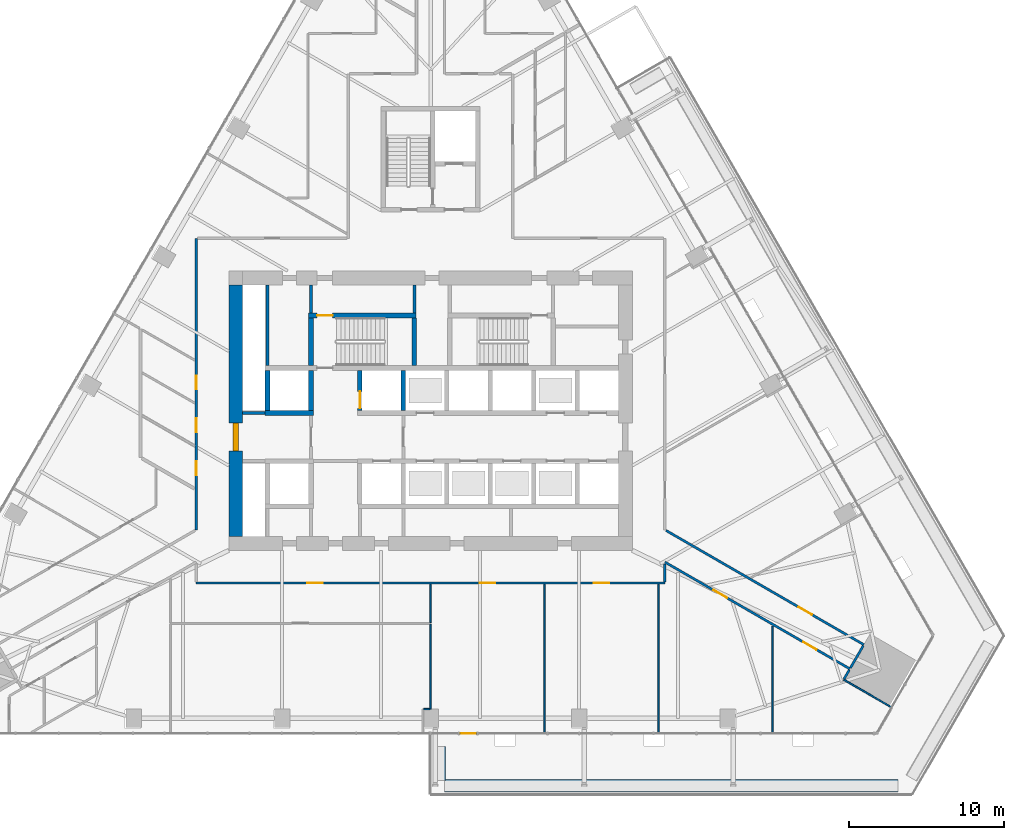
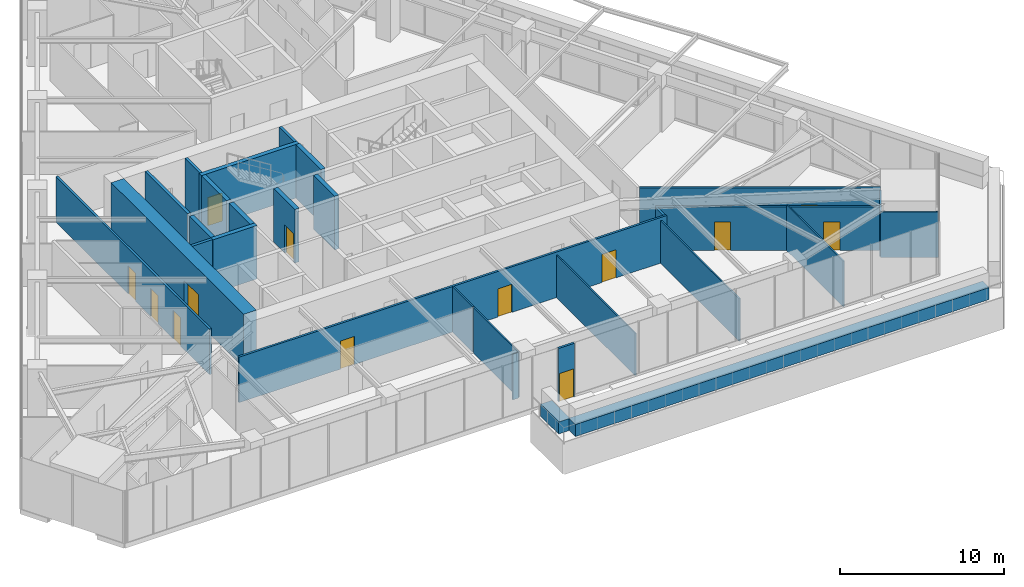
# One storey, part 22 of 29: 30 walls, 13 doors, 13 openings, 1 element without a shape of its own.
"""IFC4 building model written with IfcOpenShell, lengths in metres."""

from ifc_helpers import new_model, si_unit, direction, frame, frame_2d, origin, place, context, subcontext, project, spatial, rectangle, extrude, material, layer, layer_set, type_object, element, fill, aggregate, save


model = new_model("IFC4")

# Units and contexts
model_context = context("Model", 3, precision=1e-05, world=origin(), true_north=direction((0.0, 1.0)))
body_context = subcontext(model_context, "Body", "Model", "MODEL_VIEW")
ifc_project = project(units=[si_unit("LENGTHUNIT", "METRE"), si_unit("AREAUNIT", "SQUARE_METRE"), si_unit("VOLUMEUNIT", "CUBIC_METRE"), si_unit("PLANEANGLEUNIT", "RADIAN"), si_unit("MASSUNIT", "GRAM", prefix="KILO")], contexts=[model_context])

# Site, building, storey
site_placement = place(None, origin())
site = spatial("IfcSite", under=ifc_project, at=site_placement, CompositionType="ELEMENT")
building_placement = place(site_placement, origin())
building = spatial("IfcBuilding", under=site, at=building_placement, Name="Firuza Gate Tower and Library", CompositionType="ELEMENT")
storey_placement = place(building_placement, frame((0.0, 0.0, 48.39990234375)))
storey = spatial("IfcBuildingStorey", under=building, at=storey_placement, Name="L10", CompositionType="ELEMENT", Elevation=48.39990234375)

# Walls
ifc_material_1 = material(Name="Plasterboard on steel studs", Category="steel")
ifc_layer_1 = layer(ifc_material_1, 0.199951171875)
ifc_layer_set_1 = layer_set([ifc_layer_1], Name="Core partition 200 EI 120")
wall_type_1 = type_object("IfcWallType", Name="Core partition 200 EI 120", PredefinedType="PARTITIONING", material=ifc_layer_set_1)
wall_1_placement = place(storey_placement, frame((62.89990234375, 74.85009765625, 0.0), z_axis=(0.0, 0.0, 1.0), x_axis=(1.0, 0.0, 0.0)))
element("IfcWall", 1, at=wall_1_placement, inside=storey, type_object=wall_type_1, Name="Core partition L10 3", PredefinedType="PARTITIONING", context=body_context, shape_type="SweptSolid", body=[
    extrude(rectangle(XDim=1.4501953125, YDim=0.199951171875, at=frame_2d((0.72509765625, 0.0))), origin(), (0.0, 0.0, 1.0), 4.0),
])
wall_2_placement = place(storey_placement, frame((64.5, 77.89990234375, 0.0), z_axis=(0.0, 0.0, 1.0), x_axis=(0.0, 1.0, 0.0)))
element("IfcWall", 2, at=wall_2_placement, inside=storey, type_object=wall_type_1, Name="Core partition L10 6", PredefinedType="PARTITIONING", context=body_context, shape_type="SweptSolid", body=[
    extrude(rectangle(XDim=5.2001953125, YDim=0.199951171875, at=frame_2d((2.60009765625, 0.0))), origin(), (0.0, 0.0, 1.0), 4.0),
])
ifc_material_2 = material(Name="Plasterboard on steel studs", Category="steel")
ifc_layer_2 = layer(ifc_material_2, 0.199951171875)
ifc_layer_set_2 = layer_set([ifc_layer_2], Name="Core partition 200 EI 60")
wall_type_2 = type_object("IfcWallType", Name="Core partition 200 EI 60", PredefinedType="PARTITIONING", material=ifc_layer_set_2)
for number, where, z_axis, x_axis, name in (
    (3, (67.300048828125, 81.280029296875, 0.0), (0.0, 0.0, 1.0), (0.0, 1.0, 0.0), "Core partition L10 9"),
    (4, (73.9599609375, 81.280029296875, 0.0), (0.0, 0.0, 1.0), (0.0, 1.0, 0.0), "Core partition L10 13"),
):
    element("IfcWall", number, at=place(storey_placement, frame(where, z_axis=z_axis, x_axis=x_axis)), inside=storey, type_object=wall_type_2, Name=name, PredefinedType="PARTITIONING", context=body_context, shape_type="SweptSolid", body=[
        extrude(rectangle(XDim=1.820068359375, YDim=0.199951171875, at=frame_2d((0.91015625, 0.0))), origin(), (0.0, 0.0, 1.0), 4.0),
    ])
ifc_material_3 = material(Name="Concrete C80/95", Category="concrete")
ifc_layer_3 = layer(ifc_material_3, 0.300048828125)
ifc_layer_set_3 = layer_set([ifc_layer_3], Name="Core wall 300 C80/95")
wall_type_3 = type_object("IfcWallType", Name="Core wall 300 C80/95", PredefinedType="SHEAR", material=ifc_layer_set_3)
wall_3_placement = place(storey_placement, frame((64.35009765625, 74.85009765625, 0.0), z_axis=(0.0, 0.0, 1.0), x_axis=(1.0, 0.0, 0.0)))
element("IfcWall", 5, at=wall_3_placement, inside=storey, type_object=wall_type_3, Name="Core wall L10 9", PredefinedType="SHEAR", context=body_context, shape_type="SweptSolid", body=[
    extrude(rectangle(XDim=3.099853515625, YDim=0.300048828125, at=frame_2d((1.5498046875, 0.0))), origin(), (0.0, 0.0, 1.0), 4.0),
])
for number, where, z_axis, x_axis, name in (
    (6, (64.5, 75.0, 0.0), (0.0, 0.0, 1.0), (0.0, 1.0, 0.0), "Core wall L10 12"),
    (7, (67.300048828125, 75.0, 0.0), (0.0, 0.0, 1.0), (0.0, 1.0, 0.0), "Core wall L10 14"),
):
    element("IfcWall", number, at=place(storey_placement, frame(where, z_axis=z_axis, x_axis=x_axis)), inside=storey, type_object=wall_type_3, Name=name, PredefinedType="SHEAR", context=body_context, shape_type="SweptSolid", body=[
        extrude(rectangle(XDim=2.60009765625, YDim=0.300048828125, at=frame_2d((1.300048828125, 0.0))), origin(), (0.0, 0.0, 1.0), 4.0),
    ])

# Wall, opening, door
wall_4_placement = place(storey_placement, frame((70.449951171875, 75.0, 0.0), z_axis=(0.0, 0.0, 1.0), x_axis=(0.0, 1.0, 0.0)))
wall_4 = element("IfcWall", 8, at=wall_4_placement, inside=storey, type_object=wall_type_3, Name="Core wall L10 16", PredefinedType="SHEAR", context=body_context, shape_type="SweptSolid", body=[
    extrude(rectangle(XDim=2.60009765625, YDim=0.300048828125, at=frame_2d((1.300048828125, 0.0))), origin(), (0.0, 0.0, 1.0), 4.0),
])
opening_1_placement = place(wall_4_placement, frame((0.14990234375, 0.0, 0.0)))
opening_1 = element("IfcOpeningElement", 9, at=opening_1_placement, cuts=wall_4, Name="Opening LD-FF2-L10", PredefinedType="OPENING", context=body_context, shape_type="SweptSolid", body=[
    extrude(rectangle(XDim=1.10009765625, YDim=2.10009765625, at=frame_2d((0.550048828125, 1.050048828125))), frame((0.0, 0.16015625, 0.0), z_axis=(0.0, -1.0, 0.0), x_axis=(1.0, 0.0, 0.0)), (0.0, 0.0, 1.0), 0.320068359375),
])
ifc_material_4 = material(Name="Stainless steel", Category="steel")
door_type_1 = type_object("IfcDoorType", Name="Lift landing door 1100x2100", OperationType="DOUBLE_DOOR_SLIDING", PredefinedType="DOOR", material=ifc_material_4)
door_1_placement = place(opening_1_placement, origin())
door_1 = element("IfcDoor", 10, at=door_1_placement, inside=storey, type_object=door_type_1, Name="Landing door FF2 L10", OperationType="DOUBLE_DOOR_SLIDING", OverallHeight=2.10009765625, OverallWidth=1.10009765625, PredefinedType="DOOR", context=body_context, shape_type="SweptSolid", body=[
    extrude(rectangle(XDim=1.10009765625, YDim=2.10009765625, at=frame_2d((0.550048828125, 1.050048828125))), frame((0.0, 0.02490234375, 0.0), z_axis=(0.0, -1.0, 0.0), x_axis=(1.0, 0.0, 0.0)), (0.0, 0.0, 1.0), 0.050048828125),
])
fill(opening_1, door_1)

# Wall
wall_5_placement = place(storey_placement, frame((73.25, 75.0, 0.0), z_axis=(0.0, 0.0, 1.0), x_axis=(0.0, 1.0, 0.0)))
element("IfcWall", 11, at=wall_5_placement, inside=storey, type_object=wall_type_3, Name="Core wall L10 18", PredefinedType="SHEAR", context=body_context, shape_type="SweptSolid", body=[
    extrude(rectangle(XDim=2.60009765625, YDim=0.300048828125, at=frame_2d((1.300048828125, 0.0))), origin(), (0.0, 0.0, 1.0), 4.0),
])

# Wall, opening, door
wall_6_placement = place(storey_placement, frame((67.14990234375, 81.1298828125, 0.0), z_axis=(0.0, 0.0, 1.0), x_axis=(1.0, 0.0, 0.0)))
wall_6 = element("IfcWall", 12, at=wall_6_placement, inside=storey, type_object=wall_type_3, Name="Core wall L10 28", PredefinedType="SHEAR", context=body_context, shape_type="SweptSolid", body=[
    extrude(rectangle(XDim=6.91015625, YDim=0.300048828125, at=frame_2d((3.455078125, 0.0))), origin(), (0.0, 0.0, 1.0), 4.0),
])
opening_2_placement = place(wall_6_placement, frame((0.544921875, 0.0, 0.0)))
opening_2 = element("IfcOpeningElement", 13, at=opening_2_placement, cuts=wall_6, Name="Opening L10-K13", PredefinedType="OPENING", context=body_context, shape_type="SweptSolid", body=[
    extrude(rectangle(XDim=1.0, YDim=2.10009765625, at=frame_2d((0.5, 1.050048828125))), frame((0.0, 0.16015625, 0.0), z_axis=(0.0, -1.0, 0.0), x_axis=(1.0, 0.0, 0.0)), (0.0, 0.0, 1.0), 0.320068359375),
])
ifc_material_5 = material(Name="Steel", Category="steel")
door_type_2 = type_object("IfcDoorType", Name="Fire door 1000x2100 FD90", OperationType="NOTDEFINED", PredefinedType="DOOR", material=ifc_material_5)
door_2_placement = place(opening_2_placement, origin())
door_2 = element("IfcDoor", 14, at=door_2_placement, inside=storey, type_object=door_type_2, Name="Door L10-K13", OperationType="SINGLE_SWING_RIGHT", OverallHeight=2.10009765625, OverallWidth=1.0, PredefinedType="DOOR", context=body_context, shape_type="SweptSolid", body=[
    extrude(rectangle(XDim=1.0, YDim=2.10009765625, at=frame_2d((0.5, 1.050048828125))), frame((0.0, 0.02490234375, 0.0), z_axis=(0.0, -1.0, 0.0), x_axis=(1.0, 0.0, 0.0)), (0.0, 0.0, 1.0), 0.050048828125),
])
fill(opening_2, door_2)

# Walls
for number, where, z_axis, x_axis, name in (
    (15, (67.300048828125, 77.89990234375, 0.0), (0.0, 0.0, 1.0), (0.0, 1.0, 0.0), "Core wall L10 30"),
    (16, (73.9599609375, 77.89990234375, 0.0), (0.0, 0.0, 1.0), (0.0, 1.0, 0.0), "Core wall L10 31"),
):
    element("IfcWall", number, at=place(storey_placement, frame(where, z_axis=z_axis, x_axis=x_axis)), inside=storey, type_object=wall_type_3, Name=name, PredefinedType="SHEAR", context=body_context, shape_type="SweptSolid", body=[
        extrude(rectangle(XDim=3.080078125, YDim=0.300048828125, at=frame_2d((1.5400390625, 0.0))), origin(), (0.0, 0.0, 1.0), 4.0),
    ])

# Wall, opening, door
ifc_material_6 = material(Name="Concrete C80/95", Category="concrete")
ifc_layer_4 = layer(ifc_material_6, 0.89990234375)
ifc_layer_set_4 = layer_set([ifc_layer_4], Name="Core wall 900 C80/95")
wall_type_4 = type_object("IfcWallType", Name="Core wall 900 C80/95", PredefinedType="SHEAR", material=ifc_layer_set_4)
wall_7_placement = place(storey_placement, frame((62.449951171875, 66.89990234375, 0.0), z_axis=(0.0, 0.0, 1.0), x_axis=(0.0, 1.0, 0.0)))
wall_7 = element("IfcWall", 17, at=wall_7_placement, inside=storey, type_object=wall_type_4, Name="Core wall L10 3", PredefinedType="SHEAR", context=body_context, shape_type="SweptSolid", body=[
    extrude(rectangle(XDim=16.2001953125, YDim=0.89990234375, at=frame_2d((8.10009765625, 0.0))), origin(), (0.0, 0.0, 1.0), 4.0),
])
opening_3_placement = place(wall_7_placement, frame((5.5, 0.0, 0.0)))
opening_3 = element("IfcOpeningElement", 18, at=opening_3_placement, cuts=wall_7, Name="Opening L10-K22", PredefinedType="OPENING", context=body_context, shape_type="SweptSolid", body=[
    extrude(rectangle(XDim=1.800048828125, YDim=2.10009765625, at=frame_2d((0.89990234375, 1.050048828125))), frame((0.0, 0.4599609375, 0.0), z_axis=(0.0, -1.0, 0.0), x_axis=(1.0, 0.0, 0.0)), (0.0, 0.0, 1.0), 0.919921875),
])
ifc_material_7 = material(Name="Steel", Category="steel")
door_type_3 = type_object("IfcDoorType", Name="Fire door 1800x2100 FD30S", OperationType="NOTDEFINED", PredefinedType="DOOR", material=ifc_material_7)
door_3_placement = place(opening_3_placement, origin())
door_3 = element("IfcDoor", 19, at=door_3_placement, inside=storey, type_object=door_type_3, Name="Door L10-K22", OperationType="SINGLE_SWING_LEFT", OverallHeight=2.10009765625, OverallWidth=1.800048828125, PredefinedType="DOOR", context=body_context, shape_type="SweptSolid", body=[
    extrude(rectangle(XDim=1.800048828125, YDim=2.10009765625, at=frame_2d((0.89990234375, 1.050048828125))), frame((0.0, 0.169921875, 0.0), z_axis=(0.0, -1.0, 0.0), x_axis=(1.0, 0.0, 0.0)), (0.0, 0.0, 1.0), 0.33984375),
])
fill(opening_3, door_3)

# Wall, openings, doors
ifc_material_8 = material(Name="Gypsum board partition")
ifc_layer_5 = layer(ifc_material_8, 0.14990234375)
ifc_layer_set_5 = layer_set([ifc_layer_5], Name="Corridor wall 150 double board on steel studs")
wall_type_5 = type_object("IfcWallType", Name="Corridor wall 150 double board on steel studs", PredefinedType="PARTITIONING", material=ifc_layer_set_5)
wall_8_placement = place(storey_placement, frame((90.099609375, 63.89990234375, 0.0), z_axis=(0.0, 0.0, 1.0), x_axis=(-1.0, 0.0, 0.0)))
wall_8 = element("IfcWall", 20, at=wall_8_placement, inside=storey, type_object=wall_type_5, Name="f:L10:w002", PredefinedType="PARTITIONING", context=body_context, shape_type="SweptSolid", body=[
    extrude(rectangle(XDim=30.19970703125, YDim=0.14990234375, at=frame_2d((15.099853515625, 0.0))), origin(), (0.0, 0.0, 1.0), 3.400146484375),
])
opening_4_placement = place(wall_8_placement, frame((3.57763671875, 0.0, 0.0)))
opening_4 = element("IfcOpeningElement", 21, at=opening_4_placement, cuts=wall_8, Name="Opening L10-02", PredefinedType="OPENING", context=body_context, shape_type="SweptSolid", body=[
    extrude(rectangle(XDim=1.0, YDim=2.10009765625, at=frame_2d((0.5, 1.050048828125))), frame((0.0, 0.0849609375, 0.0), z_axis=(0.0, -1.0, 0.0), x_axis=(1.0, 0.0, 0.0)), (0.0, 0.0, 1.0), 0.169921875),
])
opening_5_placement = place(wall_8_placement, frame((10.925537109375, 0.0, 0.0)))
opening_5 = element("IfcOpeningElement", 22, at=opening_5_placement, cuts=wall_8, Name="Opening L10-03", PredefinedType="OPENING", context=body_context, shape_type="SweptSolid", body=[
    extrude(rectangle(XDim=1.0, YDim=2.10009765625, at=frame_2d((0.5, 1.050048828125))), frame((0.0, 0.0849609375, 0.0), z_axis=(0.0, -1.0, 0.0), x_axis=(1.0, 0.0, 0.0)), (0.0, 0.0, 1.0), 0.169921875),
])
opening_6_placement = place(wall_8_placement, frame((22.048095703125, 0.0, 0.0)))
opening_6 = element("IfcOpeningElement", 23, at=opening_6_placement, cuts=wall_8, Name="Opening L10-04", PredefinedType="OPENING", context=body_context, shape_type="SweptSolid", body=[
    extrude(rectangle(XDim=1.0, YDim=2.10009765625, at=frame_2d((0.5, 1.050048828125))), frame((0.0, 0.0849609375, 0.0), z_axis=(0.0, -1.0, 0.0), x_axis=(1.0, 0.0, 0.0)), (0.0, 0.0, 1.0), 0.169921875),
])
ifc_material_9 = material(Name="Steel door and timber leaf", Category="steel")
door_type_4 = type_object("IfcDoorType", Name="Fire door 1000 x 2100 steel frame, timber leaf", OperationType="NOTDEFINED", PredefinedType="DOOR", material=ifc_material_9)
door_4_placement = place(opening_4_placement, origin())
door_4 = element("IfcDoor", 24, at=door_4_placement, inside=storey, type_object=door_type_4, Name="f:L10:d002", OperationType="SINGLE_SWING_RIGHT", OverallHeight=2.10009765625, OverallWidth=1.0, PredefinedType="DOOR", context=body_context, shape_type="SweptSolid", body=[
    extrude(rectangle(XDim=1.0, YDim=2.10009765625, at=frame_2d((0.5, 1.050048828125))), frame((0.0, 0.02490234375, 0.0), z_axis=(0.0, -1.0, 0.0), x_axis=(1.0, 0.0, 0.0)), (0.0, 0.0, 1.0), 0.050048828125),
])
fill(opening_4, door_4)
door_5_placement = place(opening_5_placement, origin())
door_5 = element("IfcDoor", 25, at=door_5_placement, inside=storey, type_object=door_type_4, Name="f:L10:d003", OperationType="SINGLE_SWING_LEFT", OverallHeight=2.10009765625, OverallWidth=1.0, PredefinedType="DOOR", context=body_context, shape_type="SweptSolid", body=[
    extrude(rectangle(XDim=1.0, YDim=2.10009765625, at=frame_2d((0.5, 1.050048828125))), frame((0.0, 0.02490234375, 0.0), z_axis=(0.0, -1.0, 0.0), x_axis=(1.0, 0.0, 0.0)), (0.0, 0.0, 1.0), 0.050048828125),
])
fill(opening_5, door_5)
door_6_placement = place(opening_6_placement, origin())
door_6 = element("IfcDoor", 26, at=door_6_placement, inside=storey, type_object=door_type_4, Name="f:L10:d004", OperationType="SINGLE_SWING_RIGHT", OverallHeight=2.10009765625, OverallWidth=1.0, PredefinedType="DOOR", context=body_context, shape_type="SweptSolid", body=[
    extrude(rectangle(XDim=1.0, YDim=2.10009765625, at=frame_2d((0.5, 1.050048828125))), frame((0.0, 0.02490234375, 0.0), z_axis=(0.0, -1.0, 0.0), x_axis=(1.0, 0.0, 0.0)), (0.0, 0.0, 1.0), 0.050048828125),
])
fill(opening_6, door_6)

# Walls
wall_9_placement = place(storey_placement, frame((101.645751953125, 57.71142578125, 0.0), z_axis=(0.0, 0.0, 1.0), x_axis=(0.499837337514, 0.866119296648, 0.0)))
element("IfcWall", 27, at=wall_9_placement, inside=storey, type_object=wall_type_5, Name="f:L10:w027", PredefinedType="PARTITIONING", context=body_context, shape_type="SweptSolid", body=[
    extrude(rectangle(XDim=0.674560546875, YDim=0.14990234375, at=frame_2d((0.33740234375, 0.0))), origin(), (0.0, 0.0, 1.0), 3.400146484375),
])
wall_10_placement = place(storey_placement, frame((90.10009765625, 63.9755859375, 0.0), z_axis=(0.0, 0.0, 1.0), x_axis=(0.0, 1.0, 0.0)))
element("IfcWall", 28, at=wall_10_placement, inside=storey, type_object=wall_type_5, Name="f:L10:w029", PredefinedType="PARTITIONING", context=body_context, shape_type="SweptSolid", body=[
    extrude(rectangle(XDim=1.130615234375, YDim=0.14990234375, at=frame_2d((0.5654296875, 0.0))), origin(), (0.0, 0.0, 1.0), 3.2470703125),
])

# Wall, openings, doors
wall_11_placement = place(storey_placement, frame((59.89990234375, 67.3212890625, 0.0), z_axis=(0.0, 0.0, 1.0), x_axis=(0.0, 1.0, 0.0)))
wall_11 = element("IfcWall", 29, at=wall_11_placement, inside=storey, type_object=wall_type_5, Name="f:L10:w047", PredefinedType="PARTITIONING", context=body_context, shape_type="SweptSolid", body=[
    extrude(rectangle(XDim=18.7783203125, YDim=0.14990234375, at=frame_2d((9.38916015625, 0.0))), origin(), (0.0, 0.0, 1.0), 3.400146484375),
])
opening_7_placement = place(wall_11_placement, frame((3.518798828125, 0.0, 0.0)))
opening_7 = element("IfcOpeningElement", 30, at=opening_7_placement, cuts=wall_11, Name="Opening L10-27", PredefinedType="OPENING", context=body_context, shape_type="SweptSolid", body=[
    extrude(rectangle(XDim=0.89990234375, YDim=2.10009765625, at=frame_2d((0.449951171875, 1.050048828125))), frame((0.0, 0.0849609375, 0.0), z_axis=(0.0, -1.0, 0.0), x_axis=(1.0, 0.0, 0.0)), (0.0, 0.0, 1.0), 0.169921875),
])
opening_8_placement = place(wall_11_placement, frame((6.280517578125, 0.0, 0.0)))
opening_8 = element("IfcOpeningElement", 31, at=opening_8_placement, cuts=wall_11, Name="Opening L10-28", PredefinedType="OPENING", context=body_context, shape_type="SweptSolid", body=[
    extrude(rectangle(XDim=0.89990234375, YDim=2.10009765625, at=frame_2d((0.449951171875, 1.050048828125))), frame((0.0, 0.0849609375, 0.0), z_axis=(0.0, -1.0, 0.0), x_axis=(1.0, 0.0, 0.0)), (0.0, 0.0, 1.0), 0.169921875),
])
opening_9_placement = place(wall_11_placement, frame((9.04248046875, 0.0, 0.0)))
opening_9 = element("IfcOpeningElement", 32, at=opening_9_placement, cuts=wall_11, Name="Opening L10-29", PredefinedType="OPENING", context=body_context, shape_type="SweptSolid", body=[
    extrude(rectangle(XDim=0.89990234375, YDim=2.10009765625, at=frame_2d((0.449951171875, 1.050048828125))), frame((0.0, 0.0849609375, 0.0), z_axis=(0.0, -1.0, 0.0), x_axis=(1.0, 0.0, 0.0)), (0.0, 0.0, 1.0), 0.169921875),
])
ifc_material_10 = material(Name="Steel door and timber leaf", Category="steel")
door_type_5 = type_object("IfcDoorType", Name="Fire door 900 x 2100 steel frame, timber leaf", OperationType="NOTDEFINED", PredefinedType="DOOR", material=ifc_material_10)
door_7_placement = place(opening_7_placement, origin())
door_7 = element("IfcDoor", 33, at=door_7_placement, inside=storey, type_object=door_type_5, Name="f:L10:d027", OperationType="SINGLE_SWING_LEFT", OverallHeight=2.10009765625, OverallWidth=0.89990234375, PredefinedType="DOOR", context=body_context, shape_type="SweptSolid", body=[
    extrude(rectangle(XDim=0.89990234375, YDim=2.10009765625, at=frame_2d((0.449951171875, 1.050048828125))), frame((0.0, 0.02490234375, 0.0), z_axis=(0.0, -1.0, 0.0), x_axis=(1.0, 0.0, 0.0)), (0.0, 0.0, 1.0), 0.050048828125),
])
fill(opening_7, door_7)
door_8_placement = place(opening_8_placement, origin())
door_8 = element("IfcDoor", 34, at=door_8_placement, inside=storey, type_object=door_type_5, Name="f:L10:d028", OperationType="SINGLE_SWING_RIGHT", OverallHeight=2.10009765625, OverallWidth=0.89990234375, PredefinedType="DOOR", context=body_context, shape_type="SweptSolid", body=[
    extrude(rectangle(XDim=0.89990234375, YDim=2.10009765625, at=frame_2d((0.449951171875, 1.050048828125))), frame((0.0, 0.02490234375, 0.0), z_axis=(0.0, -1.0, 0.0), x_axis=(1.0, 0.0, 0.0)), (0.0, 0.0, 1.0), 0.050048828125),
])
fill(opening_8, door_8)
door_9_placement = place(opening_9_placement, origin())
door_9 = element("IfcDoor", 35, at=door_9_placement, inside=storey, type_object=door_type_5, Name="f:L10:d029", OperationType="SINGLE_SWING_LEFT", OverallHeight=2.10009765625, OverallWidth=0.89990234375, PredefinedType="DOOR", context=body_context, shape_type="SweptSolid", body=[
    extrude(rectangle(XDim=0.89990234375, YDim=2.10009765625, at=frame_2d((0.449951171875, 1.050048828125))), frame((0.0, 0.02490234375, 0.0), z_axis=(0.0, -1.0, 0.0), x_axis=(1.0, 0.0, 0.0)), (0.0, 0.0, 1.0), 0.050048828125),
])
fill(opening_9, door_9)

# Wall, opening, door
wall_12_placement = place(storey_placement, frame((90.175048828125, 67.278076171875, 0.0), z_axis=(0.0, 0.0, 1.0), x_axis=(0.866025356753, -0.50000008146, 0.0)))
wall_12 = element("IfcWall", 36, at=wall_12_placement, inside=storey, type_object=wall_type_5, Name="f:L10:w060", PredefinedType="PARTITIONING", context=body_context, shape_type="SweptSolid", body=[
    extrude(rectangle(XDim=14.716796875, YDim=0.14990234375, at=frame_2d((7.3583984375, 0.0))), origin(), (0.0, 0.0, 1.0), 3.400146484375),
])
opening_10_placement = place(wall_12_placement, frame((9.861328125, 0.0, 0.0)))
opening_10 = element("IfcOpeningElement", 37, at=opening_10_placement, cuts=wall_12, Name="Opening L10-31", PredefinedType="OPENING", context=body_context, shape_type="SweptSolid", body=[
    extrude(rectangle(XDim=1.0, YDim=2.10009765625, at=frame_2d((0.5, 1.050048828125))), frame((0.0, 0.0849609375, 0.0), z_axis=(0.0, -1.0, 0.0), x_axis=(1.0, 0.0, 0.0)), (0.0, 0.0, 1.0), 0.169921875),
])
door_10_placement = place(opening_10_placement, origin())
door_10 = element("IfcDoor", 38, at=door_10_placement, inside=storey, type_object=door_type_4, Name="f:L10:d031", OperationType="SINGLE_SWING_LEFT", OverallHeight=2.10009765625, OverallWidth=1.0, PredefinedType="DOOR", context=body_context, shape_type="SweptSolid", body=[
    extrude(rectangle(XDim=1.0, YDim=2.10009765625, at=frame_2d((0.5, 1.050048828125))), frame((0.0, 0.02490234375, 0.0), z_axis=(0.0, -1.0, 0.0), x_axis=(1.0, 0.0, 0.0)), (0.0, 0.0, 1.0), 0.050048828125),
])
fill(opening_10, door_10)

# Wall, openings, doors
wall_13_placement = place(storey_placement, frame((102.020751953125, 58.360595703125, 0.0), z_axis=(0.0, 0.0, 1.0), x_axis=(-0.866027566471, 0.499996254098, 0.0)))
wall_13 = element("IfcWall", 39, at=wall_13_placement, inside=storey, type_object=wall_type_5, Name="f:L10:w061", PredefinedType="PARTITIONING", context=body_context, shape_type="SweptSolid", body=[
    extrude(rectangle(XDim=13.7646484375, YDim=0.14990234375, at=frame_2d((6.88232421875, 0.0))), origin(), (0.0, 0.0, 1.0), 3.2470703125),
])
opening_11_placement = place(wall_13_placement, frame((2.474853515625, 0.0, 0.0)))
opening_11 = element("IfcOpeningElement", 40, at=opening_11_placement, cuts=wall_13, Name="Opening L10-32", PredefinedType="OPENING", context=body_context, shape_type="SweptSolid", body=[
    extrude(rectangle(XDim=1.0, YDim=2.10009765625, at=frame_2d((0.5, 1.050048828125))), frame((0.0, 0.0849609375, 0.0), z_axis=(0.0, -1.0, 0.0), x_axis=(1.0, 0.0, 0.0)), (0.0, 0.0, 1.0), 0.169921875),
])
opening_12_placement = place(wall_13_placement, frame((9.15380859375, 0.0, 0.0)))
opening_12 = element("IfcOpeningElement", 41, at=opening_12_placement, cuts=wall_13, Name="Opening L10-33", PredefinedType="OPENING", context=body_context, shape_type="SweptSolid", body=[
    extrude(rectangle(XDim=1.0, YDim=2.10009765625, at=frame_2d((0.5, 1.050048828125))), frame((0.0, 0.0849609375, 0.0), z_axis=(0.0, -1.0, 0.0), x_axis=(1.0, 0.0, 0.0)), (0.0, 0.0, 1.0), 0.169921875),
])
door_11_placement = place(opening_11_placement, origin())
door_11 = element("IfcDoor", 42, at=door_11_placement, inside=storey, type_object=door_type_4, Name="f:L10:d032", OperationType="SINGLE_SWING_LEFT", OverallHeight=2.10009765625, OverallWidth=1.0, PredefinedType="DOOR", context=body_context, shape_type="SweptSolid", body=[
    extrude(rectangle(XDim=1.0, YDim=2.10009765625, at=frame_2d((0.5, 1.050048828125))), frame((0.0, 0.02490234375, 0.0), z_axis=(0.0, -1.0, 0.0), x_axis=(1.0, 0.0, 0.0)), (0.0, 0.0, 1.0), 0.050048828125),
])
fill(opening_11, door_11)
door_12_placement = place(opening_12_placement, origin())
door_12 = element("IfcDoor", 43, at=door_12_placement, inside=storey, type_object=door_type_4, Name="f:L10:d033", OperationType="SINGLE_SWING_RIGHT", OverallHeight=2.10009765625, OverallWidth=1.0, PredefinedType="DOOR", context=body_context, shape_type="SweptSolid", body=[
    extrude(rectangle(XDim=1.0, YDim=2.10009765625, at=frame_2d((0.5, 1.050048828125))), frame((0.0, 0.02490234375, 0.0), z_axis=(0.0, -1.0, 0.0), x_axis=(1.0, 0.0, 0.0)), (0.0, 0.0, 1.0), 0.050048828125),
])
fill(opening_12, door_12)

# Walls
wall_14_placement = place(storey_placement, frame((102.057861328125, 58.425537109375, 0.0), z_axis=(0.0, 0.0, 1.0), x_axis=(0.499991515992, 0.866030301974, 0.0)))
element("IfcWall", 44, at=wall_14_placement, inside=storey, type_object=wall_type_5, Name="f:L10:w076", PredefinedType="PARTITIONING", context=body_context, shape_type="SweptSolid", body=[
    extrude(rectangle(XDim=1.6494140625, YDim=0.14990234375, at=frame_2d((0.82470703125, 0.0))), origin(), (0.0, 0.0, 1.0), 3.2470703125),
])
ifc_material_11 = material(Name="Gypsum board partition")
ifc_layer_6 = layer(ifc_material_11, 0.10009765625)
ifc_layer_set_6 = layer_set([ifc_layer_6], Name="Partition 100 gypsum board on steel studs")
wall_type_6 = type_object("IfcWallType", Name="Partition 100 gypsum board on steel studs", PredefinedType="PARTITIONING", material=ifc_layer_set_6)
wall_15_placement = place(storey_placement, frame((74.550537109375, 55.77197265625, 0.0), z_axis=(0.0, 0.0, 1.0), x_axis=(1.0, 0.0, 0.0)))
element("IfcWall", 45, at=wall_15_placement, inside=storey, type_object=wall_type_6, Name="f:L10:w000", PredefinedType="PARTITIONING", context=body_context, shape_type="SweptSolid", body=[
    extrude(rectangle(XDim=0.39892578125, YDim=0.10009765625, at=frame_2d((0.199462890625, 0.0))), origin(), (0.0, 0.0, 1.0), 3.400146484375),
])
wall_16_placement = place(storey_placement, frame((97.0439453125, 54.212158203125, 0.0), z_axis=(0.0, 0.0, 1.0), x_axis=(0.0, 1.0, 0.0)))
element("IfcWall", 46, at=wall_16_placement, inside=storey, type_object=wall_type_6, Name="f:L10:w028", PredefinedType="PARTITIONING", context=body_context, shape_type="SweptSolid", body=[
    extrude(rectangle(XDim=6.905029296875, YDim=0.10009765625, at=frame_2d((3.45263671875, 0.0))), origin(), (0.0, 0.0, 1.0), 3.400146484375),
])
for number, where, z_axis, x_axis, name in (
    (47, (89.696044921875, 54.212158203125, 0.0), (0.0, 0.0, 1.0), (0.0, 1.0, 0.0), "f:L10:w031"),
    (48, (82.347900390625, 54.212158203125, 0.0), (0.0, 0.0, 1.0), (0.0, 1.0, 0.0), "f:L10:w033"),
):
    element("IfcWall", number, at=place(storey_placement, frame(where, z_axis=z_axis, x_axis=x_axis)), inside=storey, type_object=wall_type_6, Name=name, PredefinedType="PARTITIONING", context=body_context, shape_type="SweptSolid", body=[
        extrude(rectangle(XDim=9.61279296875, YDim=0.10009765625, at=frame_2d((4.806396484375, 0.0))), origin(), (0.0, 0.0, 1.0), 3.1650390625),
    ])
wall_17_placement = place(storey_placement, frame((75.0, 55.772705078125, 0.0), z_axis=(0.0, 0.0, 1.0), x_axis=(0.0, 1.0, 0.0)))
element("IfcWall", 49, at=wall_17_placement, inside=storey, type_object=wall_type_6, Name="f:L10:w040", PredefinedType="PARTITIONING", context=body_context, shape_type="SweptSolid", body=[
    extrude(rectangle(XDim=5.477294921875, YDim=0.10009765625, at=frame_2d((2.73876953125, 0.0))), origin(), (0.0, 0.0, 1.0), 3.400146484375),
])
wall_18_placement = place(storey_placement, frame((104.70361328125, 55.8876953125, 0.0), z_axis=(0.0, 0.0, 1.0), x_axis=(-0.866014251095, 0.500019316528, 0.0)))
element("IfcWall", 50, at=wall_18_placement, inside=storey, type_object=wall_type_6, Name="f:L10:w062", PredefinedType="PARTITIONING", context=body_context, shape_type="SweptSolid", body=[
    extrude(rectangle(XDim=3.559326171875, YDim=0.10009765625, at=frame_2d((1.77978515625, 0.0))), origin(), (0.0, 0.0, 1.0), 3.400146484375),
])
wall_19_placement = place(storey_placement, frame((75.0, 61.35009765625, 0.0), z_axis=(0.0, 0.0, 1.0), x_axis=(0.0, 1.0, 0.0)))
element("IfcWall", 51, at=wall_19_placement, inside=storey, type_object=wall_type_6, Name="f:L10:w069", PredefinedType="PARTITIONING", context=body_context, shape_type="SweptSolid", body=[
    extrude(rectangle(XDim=2.474853515625, YDim=0.10009765625, at=frame_2d((1.2373046875, 0.0))), origin(), (0.0, 0.0, 1.0), 3.400146484375),
])
ifc_material_12 = material(Name="Concrete C40/50", Category="concrete")
ifc_layer_7 = layer(ifc_material_12, 0.800048828125)
ifc_layer_set_7 = layer_set([ifc_layer_7], Name="Planter wall 800")
wall_type_7 = type_object("IfcWallType", Name="Planter wall 800", PredefinedType="SOLIDWALL", material=ifc_layer_set_7)
wall_20_placement = place(storey_placement, frame((75.550048828125, 53.3720703125, 0.0), z_axis=(0.0, 0.0, 1.0), x_axis=(0.0, -1.0, 0.0)))
element("IfcWall", 52, at=wall_20_placement, inside=storey, type_object=wall_type_7, Name="PLANTER L10 1", PredefinedType="SOLIDWALL", context=body_context, shape_type="SweptSolid", body=[
    extrude(rectangle(XDim=2.199951171875, YDim=0.800048828125, at=frame_2d((1.10009765625, 0.0))), origin(), (0.0, 0.0, 1.0), 0.900146484375),
])
wall_21_placement = place(storey_placement, frame((75.89990234375, 50.822265625, 0.0), z_axis=(0.0, 0.0, 1.0), x_axis=(1.0, 0.0, 0.0)))
element("IfcWall", 53, at=wall_21_placement, inside=storey, type_object=wall_type_7, Name="PLANTER L10 2", PredefinedType="SOLIDWALL", context=body_context, shape_type="SweptSolid", body=[
    extrude(rectangle(XDim=29.211181640625, YDim=0.800048828125, at=frame_2d((14.60546875, 0.0))), origin(), (0.0, 0.0, 1.0), 0.900146484375),
])

# Curtain wall, wall, opening, door
ifc_material_13 = material(Name="Aluminium 6063-T6", Category="aluminium")
ifc_layer_8 = layer(ifc_material_13, 0.14990234375)
ifc_layer_set_8 = layer_set([ifc_layer_8], Name="Unitised curtain wall, offices")
curtain_wall_type = type_object("IfcCurtainWallType", Name="Unitised curtain wall, offices", PredefinedType="NOTDEFINED", material=ifc_layer_set_8)
curtain_wall_placement = place(storey_placement, origin())
curtain_wall = element("IfcCurtainWall", 54, at=curtain_wall_placement, inside=storey, type_object=curtain_wall_type, Name="CW1 L10 S face", PredefinedType="NOTDEFINED")
ifc_material_14 = material(Name="Aluminium 6063-T6", Category="aluminium")
ifc_layer_9 = layer(ifc_material_14, 0.14990234375)
ifc_layer_set_9 = layer_set([ifc_layer_9], Name="Terrace door wall 150")
wall_type_8 = type_object("IfcWallType", Name="Terrace door wall 150", PredefinedType="SOLIDWALL", material=ifc_layer_set_9)
wall_22_placement = place(storey_placement, frame((76.860107421875, 54.197265625, 0.0), z_axis=(0.0, 0.0, 1.0), x_axis=(1.0, 0.0, 0.0)))
wall_22 = element("IfcWall", 55, at=wall_22_placement, type_object=wall_type_8, Name="Terrace door wall", PredefinedType="SOLIDWALL", context=body_context, shape_type="SweptSolid", body=[
    extrude(rectangle(XDim=1.119873046875, YDim=0.14990234375, at=frame_2d((0.56005859375, 0.0))), origin(), (0.0, 0.0, 1.0), 4.0),
])
opening_13_placement = place(wall_22_placement, frame((0.06005859375, 0.0, 0.0)))
opening_13 = element("IfcOpeningElement", 56, at=opening_13_placement, cuts=wall_22, Name="Opening DR6", PredefinedType="OPENING", context=body_context, shape_type="SweptSolid", body=[
    extrude(rectangle(XDim=1.0, YDim=2.10009765625, at=frame_2d((0.5, 1.050048828125))), frame((0.0, 0.0849609375, 0.0), z_axis=(0.0, -1.0, 0.0), x_axis=(1.0, 0.0, 0.0)), (0.0, 0.0, 1.0), 0.169921875),
])
ifc_material_15 = material(Name="Aluminium 6063-T6 and glass", Category="aluminium")
door_type_6 = type_object("IfcDoorType", Name="Terrace door 1000x2100", OperationType="NOTDEFINED", PredefinedType="DOOR", material=ifc_material_15)
door_13_placement = place(opening_13_placement, origin())
door_13 = element("IfcDoor", 57, at=door_13_placement, inside=storey, type_object=door_type_6, Name="Terrace door", OperationType="SINGLE_SWING_LEFT", OverallHeight=2.10009765625, OverallWidth=1.0, PredefinedType="DOOR", context=body_context, shape_type="SweptSolid", body=[
    extrude(rectangle(XDim=1.0, YDim=2.10009765625, at=frame_2d((0.5, 1.050048828125))), frame((0.0, 0.02490234375, 0.0), z_axis=(0.0, -1.0, 0.0), x_axis=(1.0, 0.0, 0.0)), (0.0, 0.0, 1.0), 0.050048828125),
])
fill(opening_13, door_13)
aggregate(curtain_wall, [wall_22])

save(model, "model.ifc")
